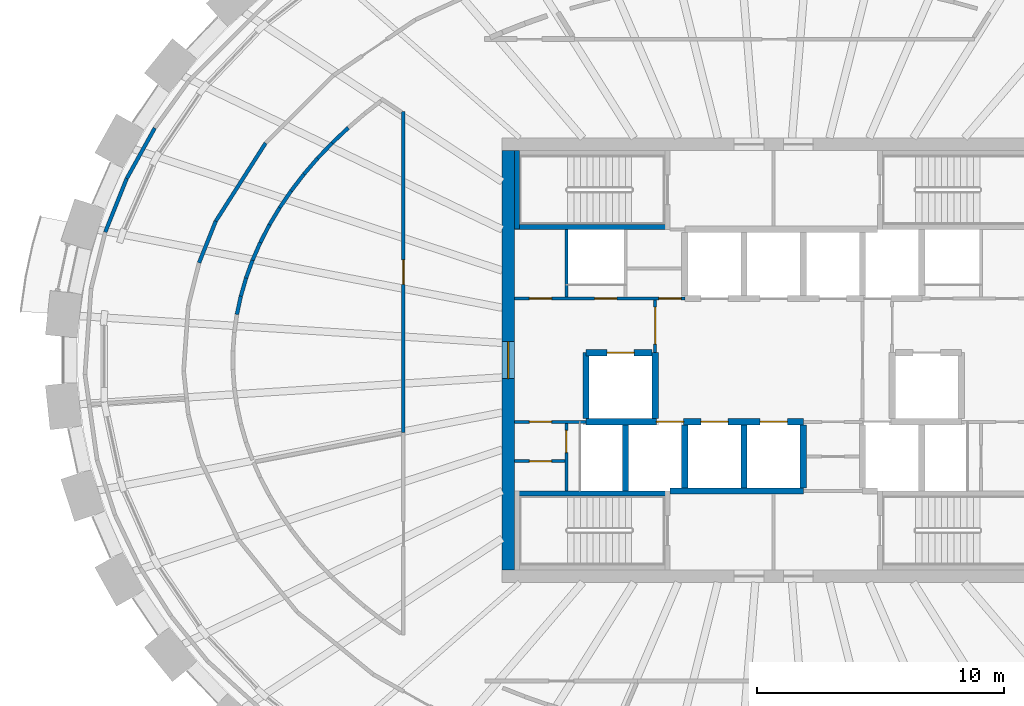
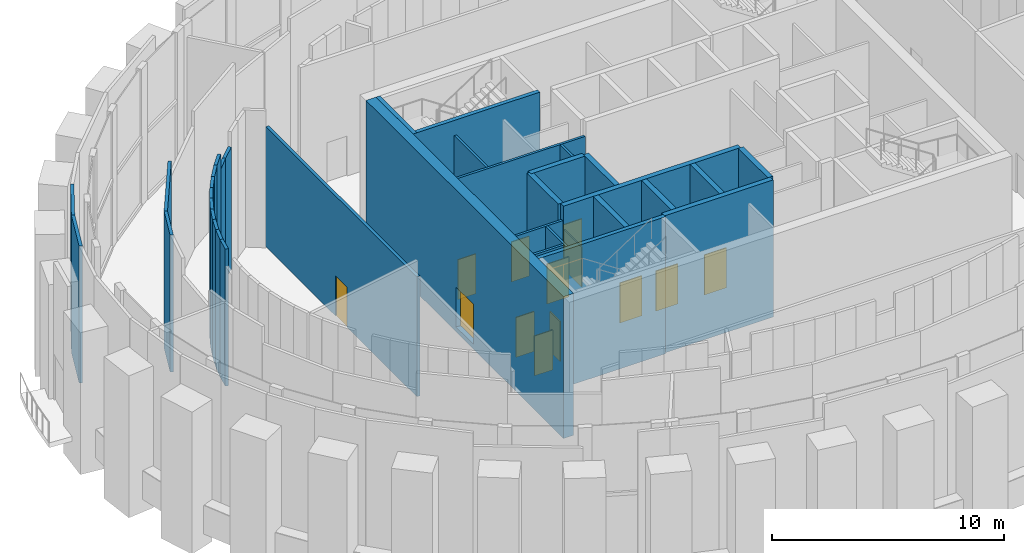
# One storey, part 9 of 16: 35 walls, 13 doors, 13 openings.
"""IFC4 building model written with IfcOpenShell, lengths in metres."""

import ifcopenshell
import ifcopenshell.guid

model = None  # the IFC model being written
_history = None  # IfcOwnerHistory: only IFC2X3 demands one
_inside = {}  # id of a spatial element -> (the spatial element, [elements in it])
_under = {}  # id of a project, library or spatial element -> (it, [spatial elements below it])
_declared = {}  # id of a project -> (the project, [libraries it declares])
_typed = {}  # id of a type object -> (the type object, [elements of that type])
_made_of = {}  # id of a material, layer set ... -> (it, [elements and type objects made of it])


def new_model(schema):
    """Start an empty IFC model of exactly this schema.

    Asked for "IFC4X3", IfcOpenShell would pick the latest addendum, in which some entities
    have other attributes; the version numbers below select the first issue.
    IFC2X3 requires an IfcOwnerHistory on every rooted entity: one is made here for all.
    """
    global model, _history
    if schema == "IFC4X3":
        model = ifcopenshell.file(schema_version=(4, 3, 0, 0))
    else:
        model = ifcopenshell.file(schema=schema)
    _inside.clear()
    _under.clear()
    _declared.clear()
    _typed.clear()
    _made_of.clear()
    _history = None
    if model.schema == "IFC2X3":
        org = make("IfcOrganization", Name="unknown")
        user = make(
            "IfcPersonAndOrganization",
            ThePerson=make("IfcPerson", FamilyName="unknown"),
            TheOrganization=org,
        )
        app = make(
            "IfcApplication",
            ApplicationDeveloper=org,
            Version="unknown",
            ApplicationFullName="unknown",
            ApplicationIdentifier="unknown",
        )
        _history = make(
            "IfcOwnerHistory",
            OwningUser=user,
            OwningApplication=app,
            ChangeAction="ADDED",
            CreationDate=0,
        )
    return model


def make(cls, **values):
    """One entity of the class cls with the attributes given. An attribute that is None is left unset."""
    return model.create_entity(
        cls, **{name: value for name, value in values.items() if value is not None}
    )


def rooted(cls, **values):
    """An entity with a GlobalId (a new one), such as an element, a storey or a relation."""
    return make(cls, GlobalId=ifcopenshell.guid.new(), OwnerHistory=_history, **values)


def si_unit(unit_type, name, prefix=None):
    """IfcSIUnit, for example si_unit("LENGTHUNIT", "METRE", prefix="MILLI")."""
    return make("IfcSIUnit", UnitType=unit_type, Prefix=prefix, Name=name)


def assignment(units):
    """IfcUnitAssignment: the units of a project."""
    return None if units is None else make("IfcUnitAssignment", Units=units)


def point(xyz):
    """IfcCartesianPoint."""
    return None if xyz is None else make("IfcCartesianPoint", Coordinates=xyz)


def direction(xyz):
    """IfcDirection."""
    return None if xyz is None else make("IfcDirection", DirectionRatios=xyz)


def frame(location, z_axis=None, x_axis=None):
    """IfcAxis2Placement3D, a coordinate frame: its origin and axes. An axis left out is left unset."""
    return make(
        "IfcAxis2Placement3D",
        Location=point(location),
        Axis=direction(z_axis),
        RefDirection=direction(x_axis),
    )


def frame_2d(location, x_axis=None):
    """IfcAxis2Placement2D, a coordinate frame in the plane: its origin and x axis."""
    return make(
        "IfcAxis2Placement2D", Location=point(location), RefDirection=direction(x_axis)
    )


def origin():
    """The frame at (0, 0, 0) with its axes left unset."""
    return frame((0.0, 0.0, 0.0))


def place(relative_to, where):
    """IfcLocalPlacement: puts the frame where relative to a parent placement (None: the world)."""
    return make(
        "IfcLocalPlacement", PlacementRelTo=relative_to, RelativePlacement=where
    )


def context(
    kind, dimensions, precision=None, world=None, true_north=None, identifier=None
):
    """IfcGeometricRepresentationContext, for example the 3D "Model" context."""
    return make(
        "IfcGeometricRepresentationContext",
        ContextIdentifier=identifier,
        ContextType=kind,
        CoordinateSpaceDimension=dimensions,
        Precision=precision,
        WorldCoordinateSystem=world,
        TrueNorth=true_north,
    )


def subcontext(parent, identifier, kind, view, scale=None):
    """IfcGeometricRepresentationSubContext, for example "Body" below "Model"."""
    return make(
        "IfcGeometricRepresentationSubContext",
        ContextIdentifier=identifier,
        ContextType=kind,
        ParentContext=parent,
        TargetScale=scale,
        TargetView=view,
    )


def project(units=None, contexts=None):
    """IfcProject with its units and contexts."""
    return rooted(
        "IfcProject",
        Name="project",
        RepresentationContexts=contexts,
        UnitsInContext=assignment(units),
    )


def spatial(cls, under=None, at=None, **own):
    """A site, building, storey or space (cls), placed at a placement, below another one or the project."""
    s = rooted(cls, ObjectPlacement=at, **own)
    if under is not None:
        _under.setdefault(under.id(), (under, []))[1].append(s)
    return s


def profile(cls, at=None, kind="AREA", **sizes):
    """A parametric profile (cls). Its sizes go by their IFC names, for example OverallWidth=200.0."""
    return make(cls, ProfileType=kind, Position=at, **sizes)


def rectangle(**sizes):
    """IfcRectangleProfileDef."""
    return profile("IfcRectangleProfileDef", **sizes)


def extrude(swept, where, along, depth):
    """IfcExtrudedAreaSolid: the profile swept, set in the frame where, extruded along a direction by depth."""
    return make(
        "IfcExtrudedAreaSolid",
        SweptArea=swept,
        Position=where,
        ExtrudedDirection=direction(along),
        Depth=depth,
    )


def shape(context_of_items, identifier, shape_type, items):
    """IfcShapeRepresentation: the items that make up one representation, for example the "Body"."""
    return make(
        "IfcShapeRepresentation",
        ContextOfItems=context_of_items,
        RepresentationIdentifier=identifier,
        RepresentationType=shape_type,
        Items=items,
    )


def source(mapping_origin, context_of_items, identifier, shape_type, items):
    """IfcRepresentationMap: a shape defined once, which mapped items show again and again."""
    return make(
        "IfcRepresentationMap",
        MappingOrigin=mapping_origin,
        MappedRepresentation=shape(context_of_items, identifier, shape_type, items),
    )


def transform(
    local_origin,
    x_axis=None,
    y_axis=None,
    z_axis=None,
    scale=None,
    scale2=None,
    scale3=None,
    uniform=True,
):
    """IfcCartesianTransformationOperator3D, or its non-uniform kind. x_axis, y_axis, z_axis: its Axis1, 2, 3."""
    if uniform:
        return make(
            "IfcCartesianTransformationOperator3D",
            Axis1=direction(x_axis),
            Axis2=direction(y_axis),
            LocalOrigin=point(local_origin),
            Scale=scale,
            Axis3=direction(z_axis),
        )
    return make(
        "IfcCartesianTransformationOperator3DnonUniform",
        Axis1=direction(x_axis),
        Axis2=direction(y_axis),
        LocalOrigin=point(local_origin),
        Scale=scale,
        Axis3=direction(z_axis),
        Scale2=scale2,
        Scale3=scale3,
    )


def mapped(mapping_source, mapping_target):
    """IfcMappedItem: shows the shape of a source again, moved by a transform."""
    return make(
        "IfcMappedItem", MappingSource=mapping_source, MappingTarget=mapping_target
    )


def material(Name=None, Category=None):
    """IfcMaterial."""
    return make("IfcMaterial", Name=Name, Category=Category)


def layer(
    of_material, thickness, ventilated=None, Name=None, Category=None, Priority=None
):
    """IfcMaterialLayer: one layer of a wall or slab, of a material (None: an air gap)."""
    return make(
        "IfcMaterialLayer",
        Material=of_material,
        LayerThickness=thickness,
        IsVentilated=ventilated,
        Name=Name,
        Category=Category,
        Priority=Priority,
    )


def layer_set(layers, Name=None):
    """IfcMaterialLayerSet."""
    return make("IfcMaterialLayerSet", MaterialLayers=layers, LayerSetName=Name)


def made_of(thing, what):
    """Note that an element or type object is made of a material, layer set ...; save() writes the relation."""
    if what is not None:
        _made_of.setdefault(what.id(), (what, []))[1].append(thing)
    return thing


def type_object(cls, material=None, **own):
    """A type object (cls), such as IfcWallType, which elements share."""
    return made_of(rooted(cls, **own), material)


def element(
    cls,
    number,
    at=None,
    inside=None,
    cuts=None,
    type_object=None,
    material=None,
    context=None,
    identifier="Body",
    shape_type=None,
    held_by="IfcProductDefinitionShape",
    body=None,
    shapes=None,
    **own,
):
    """One element of the class cls, such as IfcWall. Its Tag is "e" and its number.

    at: its placement. inside: the storey or other place that contains it. cuts: it is an
    opening in that element (IfcRelVoidsElement). A single representation is given by context,
    identifier, shape_type and body (its items); several are given by shapes. held_by: the class
    of the entity that holds the representations. save() writes the other relations.
    """
    e = rooted(cls, Tag="e%d" % number, ObjectPlacement=at, **own)
    if body is not None:
        shapes = [shape(context, identifier, shape_type, body)]
    if shapes is not None:
        e.Representation = make(held_by, Representations=shapes)
    if inside is not None:
        _inside.setdefault(inside.id(), (inside, []))[1].append(e)
    if cuts is not None:
        rooted(
            "IfcRelVoidsElement", RelatingBuildingElement=cuts, RelatedOpeningElement=e
        )
    if type_object is not None:
        _typed.setdefault(type_object.id(), (type_object, []))[1].append(e)
    return made_of(e, material)


def fill(opening, filler):
    """IfcRelFillsElement: the door or window that sits in an opening."""
    return rooted(
        "IfcRelFillsElement",
        RelatingOpeningElement=opening,
        RelatedBuildingElement=filler,
    )


def aggregate(whole, parts):
    """IfcRelAggregates: a whole, such as a stair, and the parts it consists of."""
    return rooted("IfcRelAggregates", RelatingObject=whole, RelatedObjects=parts)


def save(model, path):
    """Write the relations noted so far, then the file.

    IfcRelAggregates (storeys below a building ...), IfcRelContainedInSpatialStructure (elements
    in a storey), IfcRelDefinesByType, IfcRelAssociatesMaterial and IfcRelDeclares: one each for
    every whole, place, type object, material and project.
    """
    for whole, parts in _under.values():
        aggregate(whole, parts)
    for where, things in _inside.values():
        rooted(
            "IfcRelContainedInSpatialStructure",
            RelatedElements=things,
            RelatingStructure=where,
        )
    for kind, things in _typed.values():
        rooted("IfcRelDefinesByType", RelatedObjects=things, RelatingType=kind)
    for what, things in _made_of.values():
        rooted("IfcRelAssociatesMaterial", RelatedObjects=things, RelatingMaterial=what)
    for by, libraries in _declared.values():
        rooted("IfcRelDeclares", RelatingContext=by, RelatedDefinitions=libraries)
    model.write(path)


model = new_model("IFC4")

# Units and contexts
model_context = context("Model", 3, precision=1e-05, world=origin(), true_north=direction((0.0, 1.0)))
body_context = subcontext(model_context, "Body", "Model", "MODEL_VIEW")
ifc_project = project(units=[si_unit("LENGTHUNIT", "METRE"), si_unit("AREAUNIT", "SQUARE_METRE"), si_unit("VOLUMEUNIT", "CUBIC_METRE"), si_unit("PLANEANGLEUNIT", "RADIAN"), si_unit("MASSUNIT", "GRAM", prefix="KILO")], contexts=[model_context])

# Site, building, storey
site_placement = place(None, origin())
site = spatial("IfcSite", under=ifc_project, at=site_placement, CompositionType="ELEMENT")
building_placement = place(site_placement, origin())
building = spatial("IfcBuilding", under=site, at=building_placement, Name="Embergate Tower", CompositionType="ELEMENT")
storey_placement = place(building_placement, frame((0.0, 0.0, 332.5)))
storey = spatial("IfcBuildingStorey", under=building, at=storey_placement, Name="L78", CompositionType="ELEMENT", Elevation=332.5)

# Wall, opening, door
ifc_material_1 = material(Name="Concrete C50", Category="concrete")
ifc_layer_1 = layer(ifc_material_1, 0.5)
ifc_layer_set_1 = layer_set([ifc_layer_1], Name="Concrete C50")
wall_type_1 = type_object("IfcWallType", Name="Core outer wall C50 500", PredefinedType="SHEAR", material=ifc_layer_set_1)
shared_shape_1 = source(origin(), body_context, "Body", "SweptSolid", [
    extrude(rectangle(XDim=17.0, YDim=0.5, at=frame_2d((8.5, 0.0))), origin(), (0.0, 0.0, 1.0), 7.449951171875),
])
wall_1_placement = place(storey_placement, frame((-10.75, -8.5, -0.25), z_axis=(0.0, 0.0, 1.0), x_axis=(0.0, 1.0, 0.0)))
wall_1 = element("IfcWall", 1, at=wall_1_placement, inside=storey, type_object=wall_type_1, Name="CW-L78-W", PredefinedType="SHEAR", context=body_context, shape_type="MappedRepresentation", body=[
    mapped(shared_shape_1, transform((0.0, 0.0, 0.0))),
])
shared_shape_2 = source(origin(), body_context, "Body", "SweptSolid", [
    extrude(rectangle(XDim=1.5, YDim=2.10009765625, at=frame_2d((0.75, 1.050048828125))), frame((0.0, 0.260009765625, 0.0), z_axis=(0.0, -1.0, 0.0), x_axis=(1.0, 0.0, 0.0)), (0.0, 0.0, 1.0), 0.52001953125),
])
opening_1_placement = place(wall_1_placement, frame((7.75, 0.0, 0.25)))
opening_1 = element("IfcOpeningElement", 2, at=opening_1_placement, cuts=wall_1, Name="Opening IF-3", PredefinedType="OPENING", context=body_context, shape_type="MappedRepresentation", body=[
    mapped(shared_shape_2, transform((0.0, 0.0, 0.0))),
])
ifc_material_2 = material(Name="Lobby fire door pair 1500")
door_type_1 = type_object("IfcDoorType", Name="Lobby fire door pair 1500", OperationType="DOUBLE_DOOR_SINGLE_SWING", PredefinedType="DOOR", material=ifc_material_2)
shared_shape_3 = source(origin(), body_context, "Body", "SweptSolid", [
    extrude(rectangle(XDim=1.5, YDim=2.10009765625, at=frame_2d((0.75, 1.050048828125))), frame((0.0, 0.02490234375, 0.0), z_axis=(0.0, -1.0, 0.0), x_axis=(1.0, 0.0, 0.0)), (0.0, 0.0, 1.0), 0.050048828125),
])
door_1_placement = place(opening_1_placement, origin())
door_1 = element("IfcDoor", 3, at=door_1_placement, inside=storey, type_object=door_type_1, Name="IF-3 door", OperationType="DOUBLE_DOOR_SINGLE_SWING", OverallHeight=2.10009765625, OverallWidth=1.5, PredefinedType="DOOR", context=body_context, shape_type="MappedRepresentation", body=[
    mapped(shared_shape_3, transform((0.0, 0.0, 0.0))),
])
fill(opening_1, door_1)

# Wall, openings, doors
ifc_material_3 = material(Name="Core partition blockwork 120")
ifc_layer_2 = layer(ifc_material_3, 0.1201171875)
ifc_layer_set_2 = layer_set([ifc_layer_2], Name="Core partition blockwork 120")
wall_type_2 = type_object("IfcWallType", Name="Core partition blockwork 120", PredefinedType="PARTITIONING", material=ifc_layer_set_2)
shared_shape_4 = source(origin(), body_context, "Body", "SweptSolid", [
    extrude(rectangle(XDim=6.89990234375, YDim=0.1201171875, at=frame_2d((3.449951171875, 0.0))), origin(), (0.0, 0.0, 1.0), 6.39990234375),
])
wall_2_placement = place(storey_placement, frame((-10.5, 2.5, 0.0), z_axis=(0.0, 0.0, 1.0), x_axis=(1.0, 0.0, 0.0)))
wall_2 = element("IfcWall", 4, at=wall_2_placement, inside=storey, type_object=wall_type_2, Name="IP-3 wall", PredefinedType="PARTITIONING", context=body_context, shape_type="MappedRepresentation", body=[
    mapped(shared_shape_4, transform((0.0, 0.0, 0.0))),
])
shared_shape_5 = source(origin(), body_context, "Body", "SweptSolid", [
    extrude(rectangle(XDim=0.89990234375, YDim=2.10009765625, at=frame_2d((0.449951171875, 1.050048828125))), frame((0.0, 0.070068359375, 0.0), z_axis=(0.0, -1.0, 0.0), x_axis=(1.0, 0.0, 0.0)), (0.0, 0.0, 1.0), 0.14013671875),
])
opening_2_placement = place(wall_2_placement, frame((3.25, 0.0, 0.0)))
opening_2 = element("IfcOpeningElement", 5, at=opening_2_placement, cuts=wall_2, Name="Opening ID-1", PredefinedType="OPENING", context=body_context, shape_type="MappedRepresentation", body=[
    mapped(shared_shape_5, transform((0.0, 0.0, 0.0))),
])
opening_3_placement = place(wall_2_placement, frame((5.85009765625, 0.0, 0.0)))
opening_3 = element("IfcOpeningElement", 6, at=opening_3_placement, cuts=wall_2, Name="Opening ID-1", PredefinedType="OPENING", context=body_context, shape_type="MappedRepresentation", body=[
    mapped(shared_shape_5, transform((0.0, 0.0, 0.0))),
])
opening_4_placement = place(wall_2_placement, frame((0.60009765625, 0.0, 0.0)))
opening_4 = element("IfcOpeningElement", 7, at=opening_4_placement, cuts=wall_2, Name="Opening ID-1", PredefinedType="OPENING", context=body_context, shape_type="MappedRepresentation", body=[
    mapped(shared_shape_5, transform((0.0, 0.0, 0.0))),
])
ifc_material_4 = material(Name="Interior door 900")
door_type_2 = type_object("IfcDoorType", Name="Interior door 900", OperationType="SINGLE_SWING_LEFT", PredefinedType="DOOR", material=ifc_material_4)
shared_shape_6 = source(origin(), body_context, "Body", "SweptSolid", [
    extrude(rectangle(XDim=0.89990234375, YDim=2.10009765625, at=frame_2d((0.449951171875, 1.050048828125))), frame((0.0, 0.02490234375, 0.0), z_axis=(0.0, -1.0, 0.0), x_axis=(1.0, 0.0, 0.0)), (0.0, 0.0, 1.0), 0.050048828125),
])
door_2_placement = place(opening_2_placement, origin())
door_2 = element("IfcDoor", 8, at=door_2_placement, inside=storey, type_object=door_type_2, Name="ID-1 door", OperationType="SINGLE_SWING_LEFT", OverallHeight=2.10009765625, OverallWidth=0.89990234375, PredefinedType="DOOR", context=body_context, shape_type="MappedRepresentation", body=[
    mapped(shared_shape_6, transform((0.0, 0.0, 0.0))),
])
fill(opening_2, door_2)
door_3_placement = place(opening_3_placement, origin())
door_3 = element("IfcDoor", 9, at=door_3_placement, inside=storey, type_object=door_type_2, Name="ID-1 door", OperationType="SINGLE_SWING_LEFT", OverallHeight=2.10009765625, OverallWidth=0.89990234375, PredefinedType="DOOR", context=body_context, shape_type="MappedRepresentation", body=[
    mapped(shared_shape_6, transform((0.0, 0.0, 0.0))),
])
fill(opening_3, door_3)
door_4_placement = place(opening_4_placement, origin())
door_4 = element("IfcDoor", 10, at=door_4_placement, inside=storey, type_object=door_type_2, Name="ID-1 door", OperationType="SINGLE_SWING_LEFT", OverallHeight=2.10009765625, OverallWidth=0.89990234375, PredefinedType="DOOR", context=body_context, shape_type="MappedRepresentation", body=[
    mapped(shared_shape_6, transform((0.0, 0.0, 0.0))),
])
fill(opening_4, door_4)

# Walls
ifc_layer_3 = layer(ifc_material_1, 0.199951171875)
ifc_layer_set_3 = layer_set([ifc_layer_3], Name="Concrete C50")
wall_type_3 = type_object("IfcWallType", Name="Stair enclosure wall reinforced concrete 250", PredefinedType="SHEAR", material=ifc_layer_set_3)
shared_shape_7 = source(origin(), body_context, "Body", "SweptSolid", [
    extrude(rectangle(XDim=6.298095703125, YDim=0.199951171875, at=frame_2d((3.14892578125, 0.0))), origin(), (0.0, 0.0, 1.0), 7.199951171875),
])
wall_3_placement = place(storey_placement, frame((-4.201904296875, 5.39990234375, 0.0), z_axis=(0.0, 0.0, 1.0), x_axis=(-1.0, 0.0, 0.0)))
element("IfcWall", 11, at=wall_3_placement, inside=storey, type_object=wall_type_3, Name="SE-1 wall", PredefinedType="SHEAR", context=body_context, shape_type="MappedRepresentation", body=[
    mapped(shared_shape_7, transform((0.0, 0.0, 0.0))),
])
shared_shape_8 = source(origin(), body_context, "Body", "SweptSolid", [
    extrude(rectangle(XDim=2.739990234375, YDim=0.1201171875, at=frame_2d((1.3701171875, 0.0))), origin(), (0.0, 0.0, 1.0), 6.39990234375),
])
wall_4_placement = place(storey_placement, frame((-8.39990234375, 5.300048828125, 0.0), z_axis=(0.0, 0.0, 1.0), x_axis=(0.0, -1.0, 0.0)))
element("IfcWall", 12, at=wall_4_placement, inside=storey, type_object=wall_type_2, Name="IP-3 wall", PredefinedType="PARTITIONING", context=body_context, shape_type="MappedRepresentation", body=[
    mapped(shared_shape_8, transform((0.0, 0.0, 0.0))),
])

# Wall, opening, door
wall_5_placement = place(storey_placement, frame((-8.39990234375, -2.56005859375, 0.0), z_axis=(0.0, 0.0, 1.0), x_axis=(0.0, -1.0, 0.0)))
wall_5 = element("IfcWall", 13, at=wall_5_placement, inside=storey, type_object=wall_type_2, Name="IP-3 wall", PredefinedType="PARTITIONING", context=body_context, shape_type="MappedRepresentation", body=[
    mapped(shared_shape_8, transform((0.0, 0.0, 0.0))),
])
opening_5_placement = place(wall_5_placement, frame((0.2880859375, 0.0, 0.0)))
opening_5 = element("IfcOpeningElement", 14, at=opening_5_placement, cuts=wall_5, Name="Opening ID-1", PredefinedType="OPENING", context=body_context, shape_type="MappedRepresentation", body=[
    mapped(shared_shape_5, transform((0.0, 0.0, 0.0))),
])
door_5_placement = place(opening_5_placement, origin())
door_5 = element("IfcDoor", 15, at=door_5_placement, inside=storey, type_object=door_type_2, Name="ID-1 door", OperationType="SINGLE_SWING_LEFT", OverallHeight=2.10009765625, OverallWidth=0.89990234375, PredefinedType="DOOR", context=body_context, shape_type="MappedRepresentation", body=[
    mapped(shared_shape_6, transform((0.0, 0.0, 0.0))),
])
fill(opening_5, door_5)

# Walls
ifc_layer_4 = layer(ifc_material_1, 0.25)
ifc_layer_set_4 = layer_set([ifc_layer_4], Name="Concrete C50")
wall_type_4 = type_object("IfcWallType", Name="Hoistway wall reinforced concrete 250", PredefinedType="SHEAR", material=ifc_layer_set_4)
shared_shape_9 = source(origin(), body_context, "Body", "SweptSolid", [
    extrude(rectangle(XDim=2.550048828125, YDim=0.25, at=frame_2d((1.27490234375, 0.0))), origin(), (0.0, 0.0, 1.0), 7.199951171875),
])
for number, where, z_axis, x_axis, name in (
    (16, (-3.60009765625, -5.175048828125, 0.0), (0.0, 0.0, 1.0), (0.0, 1.0, 0.0), "HW-1 wall"),
    (17, (-1.199951171875, -5.175048828125, 0.0), (0.0, 0.0, 1.0), (0.0, 1.0, 0.0), "HW-1 wall"),
    (18, (1.199951171875, -5.175048828125, 0.0), (0.0, 0.0, 1.0), (0.0, 1.0, 0.0), "HW-1 wall"),
):
    element("IfcWall", number, at=place(storey_placement, frame(where, z_axis=z_axis, x_axis=x_axis)), inside=storey, type_object=wall_type_4, Name=name, PredefinedType="SHEAR", context=body_context, shape_type="MappedRepresentation", body=[
        mapped(shared_shape_9, transform((0.0, 0.0, 0.0))),
    ])
shared_shape_10 = source(origin(), body_context, "Body", "SweptSolid", [
    extrude(rectangle(XDim=2.675048828125, YDim=0.25, at=frame_2d((1.33740234375, 0.0))), origin(), (0.0, 0.0, 1.0), 7.199951171875),
])
for number, where, z_axis, x_axis, name in (
    (19, (-6.0, -5.300048828125, 0.0), (0.0, 0.0, 1.0), (0.0, 1.0, 0.0), "HW-1 wall"),
    (20, (-4.800048828125, 0.300048828125, 0.0), (0.0, 0.0, 1.0), (0.0, -1.0, 0.0), "HW-1 wall"),
):
    element("IfcWall", number, at=place(storey_placement, frame(where, z_axis=z_axis, x_axis=x_axis)), inside=storey, type_object=wall_type_4, Name=name, PredefinedType="SHEAR", context=body_context, shape_type="MappedRepresentation", body=[
        mapped(shared_shape_10, transform((0.0, 0.0, 0.0))),
    ])

# Wall, opening, door
wall_6_placement = place(storey_placement, frame((-4.925048828125, 0.300048828125, 0.0), z_axis=(0.0, 0.0, 1.0), x_axis=(-1.0, 0.0, 0.0)))
wall_6 = element("IfcWall", 21, at=wall_6_placement, inside=storey, type_object=wall_type_4, Name="HW-1 wall", PredefinedType="SHEAR", context=body_context, shape_type="MappedRepresentation", body=[
    mapped(shared_shape_10, transform((0.0, 0.0, 0.0))),
])
shared_shape_11 = source(origin(), body_context, "Body", "SweptSolid", [
    extrude(rectangle(XDim=1.10009765625, YDim=2.10009765625, at=frame_2d((0.550048828125, 1.050048828125))), frame((0.0, 0.135009765625, 0.0), z_axis=(0.0, -1.0, 0.0), x_axis=(1.0, 0.0, 0.0)), (0.0, 0.0, 1.0), 0.27001953125),
])
opening_6_placement = place(wall_6_placement, frame((0.72509765625, 0.0, 0.0)))
opening_6 = element("IfcOpeningElement", 22, at=opening_6_placement, cuts=wall_6, Name="Opening LD", PredefinedType="OPENING", context=body_context, shape_type="MappedRepresentation", body=[
    mapped(shared_shape_11, transform((0.0, 0.0, 0.0))),
])
ifc_material_5 = material(Name="Landing door sliding 1100")
door_type_3 = type_object("IfcDoorType", Name="Landing door sliding 1100", OperationType="SLIDING_TO_LEFT", PredefinedType="DOOR", material=ifc_material_5)
shared_shape_12 = source(origin(), body_context, "Body", "SweptSolid", [
    extrude(rectangle(XDim=1.10009765625, YDim=2.10009765625, at=frame_2d((0.550048828125, 1.050048828125))), frame((0.0, 0.02490234375, 0.0), z_axis=(0.0, -1.0, 0.0), x_axis=(1.0, 0.0, 0.0)), (0.0, 0.0, 1.0), 0.050048828125),
])
door_6_placement = place(opening_6_placement, origin())
door_6 = element("IfcDoor", 23, at=door_6_placement, inside=storey, type_object=door_type_3, Name="LD door", OperationType="SLIDING_TO_RIGHT", OverallHeight=2.10009765625, OverallWidth=1.10009765625, PredefinedType="DOOR", context=body_context, shape_type="MappedRepresentation", body=[
    mapped(shared_shape_12, transform((0.0, 0.0, 0.0))),
])
fill(opening_6, door_6)

# Walls
wall_7_placement = place(storey_placement, frame((-7.60009765625, 0.300048828125, 0.0), z_axis=(0.0, 0.0, 1.0), x_axis=(0.0, -1.0, 0.0)))
element("IfcWall", 24, at=wall_7_placement, inside=storey, type_object=wall_type_4, Name="HW-1 wall", PredefinedType="SHEAR", context=body_context, shape_type="MappedRepresentation", body=[
    mapped(shared_shape_10, transform((0.0, 0.0, 0.0))),
])
shared_shape_13 = source(origin(), body_context, "Body", "SweptSolid", [
    extrude(rectangle(XDim=6.300048828125, YDim=0.199951171875, at=frame_2d((3.14990234375, 0.0))), origin(), (0.0, 0.0, 1.0), 7.199951171875),
])
wall_8_placement = place(storey_placement, frame((-10.5, -5.39990234375, 0.0), z_axis=(0.0, 0.0, 1.0), x_axis=(1.0, 0.0, 0.0)))
element("IfcWall", 25, at=wall_8_placement, inside=storey, type_object=wall_type_3, Name="SE-1 wall", PredefinedType="SHEAR", context=body_context, shape_type="MappedRepresentation", body=[
    mapped(shared_shape_13, transform((0.0, 0.0, 0.0))),
])

# Wall, openings, doors
shared_shape_14 = source(origin(), body_context, "Body", "SweptSolid", [
    extrude(rectangle(XDim=8.800048828125, YDim=0.25, at=frame_2d((4.39990234375, 0.0))), origin(), (0.0, 0.0, 1.0), 7.199951171875),
])
wall_9_placement = place(storey_placement, frame((1.199951171875, -2.5, 0.0), z_axis=(0.0, 0.0, 1.0), x_axis=(-1.0, 0.0, 0.0)))
wall_9 = element("IfcWall", 26, at=wall_9_placement, inside=storey, type_object=wall_type_4, Name="HW-1 wall", PredefinedType="SHEAR", context=body_context, shape_type="MappedRepresentation", body=[
    mapped(shared_shape_14, transform((0.0, 0.0, 0.0))),
])
opening_7_placement = place(wall_9_placement, frame((4.85009765625, 0.0, 0.0)))
opening_7 = element("IfcOpeningElement", 27, at=opening_7_placement, cuts=wall_9, Name="Opening LD", PredefinedType="OPENING", context=body_context, shape_type="MappedRepresentation", body=[
    mapped(shared_shape_11, transform((0.0, 0.0, 0.0))),
])
opening_8_placement = place(wall_9_placement, frame((3.050048828125, 0.0, 0.0)))
opening_8 = element("IfcOpeningElement", 28, at=opening_8_placement, cuts=wall_9, Name="Opening LD", PredefinedType="OPENING", context=body_context, shape_type="MappedRepresentation", body=[
    mapped(shared_shape_11, transform((0.0, 0.0, 0.0))),
])
opening_9_placement = place(wall_9_placement, frame((0.64990234375, 0.0, 0.0)))
opening_9 = element("IfcOpeningElement", 29, at=opening_9_placement, cuts=wall_9, Name="Opening LD", PredefinedType="OPENING", context=body_context, shape_type="MappedRepresentation", body=[
    mapped(shared_shape_11, transform((0.0, 0.0, 0.0))),
])
door_7_placement = place(opening_7_placement, origin())
door_7 = element("IfcDoor", 30, at=door_7_placement, inside=storey, type_object=door_type_3, Name="LD door", OperationType="SLIDING_TO_LEFT", OverallHeight=2.10009765625, OverallWidth=1.10009765625, PredefinedType="DOOR", context=body_context, shape_type="MappedRepresentation", body=[
    mapped(shared_shape_12, transform((0.0, 0.0, 0.0))),
])
fill(opening_7, door_7)
door_8_placement = place(opening_8_placement, origin())
door_8 = element("IfcDoor", 31, at=door_8_placement, inside=storey, type_object=door_type_3, Name="LD door", OperationType="SLIDING_TO_LEFT", OverallHeight=2.10009765625, OverallWidth=1.10009765625, PredefinedType="DOOR", context=body_context, shape_type="MappedRepresentation", body=[
    mapped(shared_shape_12, transform((0.0, 0.0, 0.0))),
])
fill(opening_8, door_8)
door_9_placement = place(opening_9_placement, origin())
door_9 = element("IfcDoor", 32, at=door_9_placement, inside=storey, type_object=door_type_3, Name="LD door", OperationType="SLIDING_TO_LEFT", OverallHeight=2.10009765625, OverallWidth=1.10009765625, PredefinedType="DOOR", context=body_context, shape_type="MappedRepresentation", body=[
    mapped(shared_shape_12, transform((0.0, 0.0, 0.0))),
])
fill(opening_9, door_9)

# Wall, opening, door
shared_shape_15 = source(origin(), body_context, "Body", "SweptSolid", [
    extrude(rectangle(XDim=2.89990234375, YDim=0.1201171875, at=frame_2d((1.449951171875, 0.0))), origin(), (0.0, 0.0, 1.0), 6.39990234375),
])
wall_10_placement = place(storey_placement, frame((-7.60009765625, -2.5, 0.0), z_axis=(0.0, 0.0, 1.0), x_axis=(-1.0, 0.0, 0.0)))
wall_10 = element("IfcWall", 33, at=wall_10_placement, inside=storey, type_object=wall_type_2, Name="IP-3 wall", PredefinedType="PARTITIONING", context=body_context, shape_type="MappedRepresentation", body=[
    mapped(shared_shape_15, transform((0.0, 0.0, 0.0))),
])
opening_10_placement = place(wall_10_placement, frame((1.39990234375, 0.0, 0.0)))
opening_10 = element("IfcOpeningElement", 34, at=opening_10_placement, cuts=wall_10, Name="Opening ID-1", PredefinedType="OPENING", context=body_context, shape_type="MappedRepresentation", body=[
    mapped(shared_shape_5, transform((0.0, 0.0, 0.0))),
])
door_10_placement = place(opening_10_placement, origin())
door_10 = element("IfcDoor", 35, at=door_10_placement, inside=storey, type_object=door_type_2, Name="ID-1 door", OperationType="SINGLE_SWING_RIGHT", OverallHeight=2.10009765625, OverallWidth=0.89990234375, PredefinedType="DOOR", context=body_context, shape_type="MappedRepresentation", body=[
    mapped(shared_shape_6, transform((0.0, 0.0, 0.0))),
])
fill(opening_10, door_10)

# Wall
shared_shape_16 = source(origin(), body_context, "Body", "SweptSolid", [
    extrude(rectangle(XDim=5.39990234375, YDim=0.25, at=frame_2d((2.699951171875, 0.0))), origin(), (0.0, 0.0, 1.0), 7.199951171875),
])
wall_11_placement = place(storey_placement, frame((-4.199951171875, -5.300048828125, 0.0), z_axis=(0.0, 0.0, 1.0), x_axis=(1.0, 0.0, 0.0)))
element("IfcWall", 36, at=wall_11_placement, inside=storey, type_object=wall_type_4, Name="HW-1 wall", PredefinedType="SHEAR", context=body_context, shape_type="MappedRepresentation", body=[
    mapped(shared_shape_16, transform((0.0, 0.0, 0.0))),
])

# Wall, opening, door
shared_shape_17 = source(origin(), body_context, "Body", "SweptSolid", [
    extrude(rectangle(XDim=2.139892578125, YDim=0.1201171875, at=frame_2d((1.06982421875, 0.0))), origin(), (0.0, 0.0, 1.0), 6.39990234375),
])
wall_12_placement = place(storey_placement, frame((-4.800048828125, 2.43994140625, 0.0), z_axis=(0.0, 0.0, 1.0), x_axis=(0.0, -1.0, 0.0)))
wall_12 = element("IfcWall", 37, at=wall_12_placement, inside=storey, type_object=wall_type_2, Name="IP-3 wall", PredefinedType="PARTITIONING", context=body_context, shape_type="MappedRepresentation", body=[
    mapped(shared_shape_17, transform((0.0, 0.0, 0.0))),
])
shared_shape_18 = source(origin(), body_context, "Body", "SweptSolid", [
    extrude(rectangle(XDim=1.5, YDim=2.10009765625, at=frame_2d((0.75, 1.050048828125))), frame((0.0, 0.070068359375, 0.0), z_axis=(0.0, -1.0, 0.0), x_axis=(1.0, 0.0, 0.0)), (0.0, 0.0, 1.0), 0.14013671875),
])
opening_11_placement = place(wall_12_placement, frame((0.2900390625, 0.0, 0.0)))
opening_11 = element("IfcOpeningElement", 38, at=opening_11_placement, cuts=wall_12, Name="Opening IF-3", PredefinedType="OPENING", context=body_context, shape_type="MappedRepresentation", body=[
    mapped(shared_shape_18, transform((0.0, 0.0, 0.0))),
])
door_11_placement = place(opening_11_placement, origin())
door_11 = element("IfcDoor", 39, at=door_11_placement, inside=storey, type_object=door_type_1, Name="IF-3 door", OperationType="DOUBLE_DOOR_SINGLE_SWING", OverallHeight=2.10009765625, OverallWidth=1.5, PredefinedType="DOOR", context=body_context, shape_type="MappedRepresentation", body=[
    mapped(shared_shape_3, transform((0.0, 0.0, 0.0))),
])
fill(opening_11, door_11)

shared_shape_19 = source(origin(), body_context, "Body", "SweptSolid", [
    extrude(rectangle(XDim=2.0400390625, YDim=0.1201171875, at=frame_2d((1.02001953125, 0.0))), origin(), (0.0, 0.0, 1.0), 6.39990234375),
])
wall_13_placement = place(storey_placement, frame((-8.4599609375, -4.095947265625, 0.0), z_axis=(0.0, 0.0, 1.0), x_axis=(-1.0, 0.0, 0.0)))
wall_13 = element("IfcWall", 40, at=wall_13_placement, inside=storey, type_object=wall_type_2, Name="IP-3 wall", PredefinedType="PARTITIONING", context=body_context, shape_type="MappedRepresentation", body=[
    mapped(shared_shape_19, transform((0.0, 0.0, 0.0))),
])
opening_12_placement = place(wall_13_placement, frame((0.5400390625, 0.0, 0.0)))
opening_12 = element("IfcOpeningElement", 41, at=opening_12_placement, cuts=wall_13, Name="Opening ID-1", PredefinedType="OPENING", context=body_context, shape_type="MappedRepresentation", body=[
    mapped(shared_shape_5, transform((0.0, 0.0, 0.0))),
])
door_12_placement = place(opening_12_placement, origin())
door_12 = element("IfcDoor", 42, at=door_12_placement, inside=storey, type_object=door_type_2, Name="ID-1 door", OperationType="SINGLE_SWING_RIGHT", OverallHeight=2.10009765625, OverallWidth=0.89990234375, PredefinedType="DOOR", context=body_context, shape_type="MappedRepresentation", body=[
    mapped(shared_shape_6, transform((0.0, 0.0, 0.0))),
])
fill(opening_12, door_12)

# Walls
shared_shape_20 = source(origin(), body_context, "Body", "SweptSolid", [
    extrude(rectangle(XDim=3.197998046875, YDim=0.199951171875, at=frame_2d((1.59912109375, 0.0))), origin(), (0.0, 0.0, 1.0), 7.199951171875),
])
wall_14_placement = place(storey_placement, frame((-10.39990234375, 8.5, 0.0), z_axis=(0.0, 0.0, 1.0), x_axis=(0.0, -1.0, 0.0)))
element("IfcWall", 43, at=wall_14_placement, inside=storey, type_object=wall_type_3, Name="SE-1 wall", PredefinedType="SHEAR", context=body_context, shape_type="MappedRepresentation", body=[
    mapped(shared_shape_20, transform((0.0, 0.0, 0.0))),
])
ifc_material_6 = material(Name="Plasterboard on steel stud", Category="steel")
ifc_layer_5 = layer(ifc_material_6, 0.14990234375)
ifc_layer_set_5 = layer_set([ifc_layer_5], Name="Plasterboard on steel stud")
wall_type_5 = type_object("IfcWallType", Name="Partition wall 150 board", PredefinedType="PARTITIONING", material=ifc_layer_set_5)
shared_shape_21 = source(origin(), body_context, "Body", "SweptSolid", [
    extrude(rectangle(XDim=2.33349609375, YDim=0.14990234375, at=frame_2d((1.166748046875, 0.0))), origin(), (0.0, 0.0, 1.0), 7.199951171875),
])
wall_15_placement = place(storey_placement, frame((-27.077880859375, 5.18505859375, 0.0), z_axis=(0.0, 0.0, 1.0), x_axis=(0.371949823529, 0.928252836665, 0.0)))
element("IfcWall", 44, at=wall_15_placement, inside=storey, type_object=wall_type_5, Name="Partition 005", PredefinedType="PARTITIONING", context=body_context, shape_type="MappedRepresentation", body=[
    mapped(shared_shape_21, transform((0.0, 0.0, 0.0))),
])
shared_shape_22 = source(origin(), body_context, "Body", "SweptSolid", [
    extrude(rectangle(XDim=2.343994140625, YDim=0.14990234375, at=frame_2d((1.171875, 0.0))), origin(), (0.0, 0.0, 1.0), 7.199951171875),
])
wall_16_placement = place(storey_placement, frame((-26.2099609375, 7.35107421875, 0.0), z_axis=(0.0, 0.0, 1.0), x_axis=(0.485863990691, 0.874034428698, 0.0)))
element("IfcWall", 45, at=wall_16_placement, inside=storey, type_object=wall_type_5, Name="Partition 007", PredefinedType="PARTITIONING", context=body_context, shape_type="MappedRepresentation", body=[
    mapped(shared_shape_22, transform((0.0, 0.0, 0.0))),
])
shared_shape_23 = source(origin(), body_context, "Body", "SweptSolid", [
    extrude(rectangle(XDim=1.81103515625, YDim=0.14990234375, at=frame_2d((0.905517578125, 0.0))), origin(), (0.0, 0.0, 1.0), 7.199951171875),
])
wall_17_placement = place(storey_placement, frame((-23.27490234375, 3.946044921875, 0.0), z_axis=(0.0, 0.0, 1.0), x_axis=(0.372087887744, 0.928197502579, 0.0)))
element("IfcWall", 46, at=wall_17_placement, inside=storey, type_object=wall_type_5, Name="Partition 018", PredefinedType="PARTITIONING", context=body_context, shape_type="MappedRepresentation", body=[
    mapped(shared_shape_23, transform((0.0, 0.0, 0.0))),
])
shared_shape_24 = source(origin(), body_context, "Body", "SweptSolid", [
    extrude(rectangle(XDim=3.75634765625, YDim=0.14990234375, at=frame_2d((1.878173828125, 0.0))), origin(), (0.0, 0.0, 1.0), 7.199951171875),
])
wall_18_placement = place(storey_placement, frame((-22.60107421875, 5.626953125, 0.0), z_axis=(0.0, 0.0, 1.0), x_axis=(0.537758348506, 0.843099020645, 0.0)))
element("IfcWall", 47, at=wall_18_placement, inside=storey, type_object=wall_type_5, Name="Partition 020", PredefinedType="PARTITIONING", context=body_context, shape_type="MappedRepresentation", body=[
    mapped(shared_shape_24, transform((0.0, 0.0, 0.0))),
])
shared_shape_25 = source(origin(), body_context, "Body", "SweptSolid", [
    extrude(rectangle(XDim=0.75390625, YDim=0.14990234375, at=frame_2d((0.376953125, 0.0))), origin(), (0.0, 0.0, 1.0), 7.199951171875),
])
wall_19_placement = place(storey_placement, frame((-21.5859375, 2.5869140625, 0.0), z_axis=(0.0, 0.0, 1.0), x_axis=(-0.211165541414, -0.977450312865, 0.0)))
element("IfcWall", 48, at=wall_19_placement, inside=storey, type_object=wall_type_5, Name="Partition 029", PredefinedType="PARTITIONING", context=body_context, shape_type="MappedRepresentation", body=[
    mapped(shared_shape_25, transform((0.0, 0.0, 0.0))),
])
shared_shape_26 = source(origin(), body_context, "Body", "SweptSolid", [
    extrude(rectangle(XDim=0.76904296875, YDim=0.14990234375, at=frame_2d((0.384521484375, 0.0))), origin(), (0.0, 0.0, 1.0), 7.199951171875),
])
wall_20_placement = place(storey_placement, frame((-21.373046875, 3.325927734375, 0.0), z_axis=(0.0, 0.0, 1.0), x_axis=(-0.276816846253, -0.960922699092, 0.0)))
element("IfcWall", 49, at=wall_20_placement, inside=storey, type_object=wall_type_5, Name="Partition 031", PredefinedType="PARTITIONING", context=body_context, shape_type="MappedRepresentation", body=[
    mapped(shared_shape_26, transform((0.0, 0.0, 0.0))),
])
shared_shape_27 = source(origin(), body_context, "Body", "SweptSolid", [
    extrude(rectangle(XDim=0.76611328125, YDim=0.14990234375, at=frame_2d((0.383056640625, 0.0))), origin(), (0.0, 0.0, 1.0), 7.199951171875),
])
wall_21_placement = place(storey_placement, frame((-21.111083984375, 4.0458984375, 0.0), z_axis=(0.0, 0.0, 1.0), x_axis=(-0.341922157745, -0.939728278835, 0.0)))
element("IfcWall", 50, at=wall_21_placement, inside=storey, type_object=wall_type_5, Name="Partition 032", PredefinedType="PARTITIONING", context=body_context, shape_type="MappedRepresentation", body=[
    mapped(shared_shape_27, transform((0.0, 0.0, 0.0))),
])
shared_shape_28 = source(origin(), body_context, "Body", "SweptSolid", [
    extrude(rectangle(XDim=0.807861328125, YDim=0.14990234375, at=frame_2d((0.40380859375, 0.0))), origin(), (0.0, 0.0, 1.0), 7.199951171875),
])
wall_22_placement = place(storey_placement, frame((-20.425048828125, 5.48388671875, 0.0), z_axis=(0.0, 0.0, 1.0), x_axis=(-0.459020051876, -0.888425906857, 0.0)))
element("IfcWall", 51, at=wall_22_placement, inside=storey, type_object=wall_type_5, Name="Partition 038", PredefinedType="PARTITIONING", context=body_context, shape_type="MappedRepresentation", body=[
    mapped(shared_shape_28, transform((0.0, 0.0, 0.0))),
])
shared_shape_29 = source(origin(), body_context, "Body", "SweptSolid", [
    extrude(rectangle(XDim=0.7861328125, YDim=0.14990234375, at=frame_2d((0.39306640625, 0.0))), origin(), (0.0, 0.0, 1.0), 7.199951171875),
])
wall_23_placement = place(storey_placement, frame((-20.7958984375, 4.76611328125, 0.0), z_axis=(0.0, 0.0, 1.0), x_axis=(-0.400916577777, -0.916114565796, 0.0)))
element("IfcWall", 52, at=wall_23_placement, inside=storey, type_object=wall_type_5, Name="Partition 035", PredefinedType="PARTITIONING", context=body_context, shape_type="MappedRepresentation", body=[
    mapped(shared_shape_29, transform((0.0, 0.0, 0.0))),
])
shared_shape_30 = source(origin(), body_context, "Body", "SweptSolid", [
    extrude(rectangle(XDim=0.802978515625, YDim=0.14990234375, at=frame_2d((0.4013671875, 0.0))), origin(), (0.0, 0.0, 1.0), 7.199951171875),
])
wall_24_placement = place(storey_placement, frame((-20.012939453125, 6.173095703125, 0.0), z_axis=(0.0, 0.0, 1.0), x_axis=(-0.513198578999, -0.858269898408, 0.0)))
element("IfcWall", 53, at=wall_24_placement, inside=storey, type_object=wall_type_5, Name="Partition 041", PredefinedType="PARTITIONING", context=body_context, shape_type="MappedRepresentation", body=[
    mapped(shared_shape_30, transform((0.0, 0.0, 0.0))),
])
shared_shape_31 = source(origin(), body_context, "Body", "SweptSolid", [
    extrude(rectangle(XDim=0.851806640625, YDim=0.14990234375, at=frame_2d((0.42578125, 0.0))), origin(), (0.0, 0.0, 1.0), 7.199951171875),
])
wall_25_placement = place(storey_placement, frame((-19.030029296875, 7.531982421875, 0.0), z_axis=(0.0, 0.0, 1.0), x_axis=(-0.608269049701, -0.793730913582, 0.0)))
element("IfcWall", 54, at=wall_25_placement, inside=storey, type_object=wall_type_5, Name="Partition 047", PredefinedType="PARTITIONING", context=body_context, shape_type="MappedRepresentation", body=[
    mapped(shared_shape_31, transform((0.0, 0.0, 0.0))),
])
shared_shape_32 = source(origin(), body_context, "Body", "SweptSolid", [
    extrude(rectangle(XDim=0.826171875, YDim=0.14990234375, at=frame_2d((0.4130859375, 0.0))), origin(), (0.0, 0.0, 1.0), 7.199951171875),
])
wall_26_placement = place(storey_placement, frame((-19.548095703125, 6.85595703125, 0.0), z_axis=(0.0, 0.0, 1.0), x_axis=(-0.562722230429, -0.826646049637, 0.0)))
element("IfcWall", 55, at=wall_26_placement, inside=storey, type_object=wall_type_5, Name="Partition 043", PredefinedType="PARTITIONING", context=body_context, shape_type="MappedRepresentation", body=[
    mapped(shared_shape_32, transform((0.0, 0.0, 0.0))),
])
shared_shape_33 = source(origin(), body_context, "Body", "SweptSolid", [
    extrude(rectangle(XDim=0.843994140625, YDim=0.14990234375, at=frame_2d((0.421875, 0.0))), origin(), (0.0, 0.0, 1.0), 7.199951171875),
])
wall_27_placement = place(storey_placement, frame((-18.47998046875, 8.172119140625, 0.0), z_axis=(0.0, 0.0, 1.0), x_axis=(-0.651719945769, -0.758459697207, 0.0)))
element("IfcWall", 56, at=wall_27_placement, inside=storey, type_object=wall_type_5, Name="Partition 049", PredefinedType="PARTITIONING", context=body_context, shape_type="MappedRepresentation", body=[
    mapped(shared_shape_33, transform((0.0, 0.0, 0.0))),
])
shared_shape_34 = source(origin(), body_context, "Body", "SweptSolid", [
    extrude(rectangle(XDim=0.866455078125, YDim=0.14990234375, at=frame_2d((0.43310546875, 0.0))), origin(), (0.0, 0.0, 1.0), 6.39990234375),
])
wall_28_placement = place(storey_placement, frame((-17.882080078125, 8.799072265625, 0.0), z_axis=(0.0, 0.0, 1.0), x_axis=(-0.690140553071, -0.723675353323, 0.0)))
element("IfcWall", 57, at=wall_28_placement, inside=storey, type_object=wall_type_5, Name="Partition 051", PredefinedType="PARTITIONING", context=body_context, shape_type="MappedRepresentation", body=[
    mapped(shared_shape_34, transform((0.0, 0.0, 0.0))),
])
shared_shape_35 = source(origin(), body_context, "Body", "SweptSolid", [
    extrude(rectangle(XDim=0.89208984375, YDim=0.14990234375, at=frame_2d((0.446044921875, 0.0))), origin(), (0.0, 0.0, 1.0), 6.39990234375),
])
wall_29_placement = place(storey_placement, frame((-17.23388671875, 9.412109375, 0.0), z_axis=(0.0, 0.0, 1.0), x_axis=(-0.726534873891, -0.687129592595, 0.0)))
element("IfcWall", 58, at=wall_29_placement, inside=storey, type_object=wall_type_5, Name="Partition 054", PredefinedType="PARTITIONING", context=body_context, shape_type="MappedRepresentation", body=[
    mapped(shared_shape_35, transform((0.0, 0.0, 0.0))),
])

# Wall, opening, door
shared_shape_36 = source(origin(), body_context, "Body", "SweptSolid", [
    extrude(rectangle(XDim=13.0029296875, YDim=0.14990234375, at=frame_2d((6.50146484375, 0.0))), origin(), (0.0, 0.0, 1.0), 6.300048828125),
])
wall_30_placement = place(storey_placement, frame((-15.0, -2.93798828125, 0.0), z_axis=(0.0, 0.0, 1.0), x_axis=(0.0, 1.0, 0.0)))
wall_30 = element("IfcWall", 59, at=wall_30_placement, inside=storey, type_object=wall_type_5, Name="Partition 064", PredefinedType="PARTITIONING", context=body_context, shape_type="MappedRepresentation", body=[
    mapped(shared_shape_36, transform((0.0, 0.0, 0.0))),
])
shared_shape_37 = source(origin(), body_context, "Body", "SweptSolid", [
    extrude(rectangle(XDim=1.0, YDim=2.10009765625, at=frame_2d((0.5, 1.050048828125))), frame((0.0, 0.0849609375, 0.0), z_axis=(0.0, -1.0, 0.0), x_axis=(1.0, 0.0, 0.0)), (0.0, 0.0, 1.0), 0.169921875),
])
opening_13_placement = place(wall_30_placement, frame((6.001953125, 0.0, 0.0)))
opening_13 = element("IfcOpeningElement", 60, at=opening_13_placement, cuts=wall_30, Name="Opening DS-267", PredefinedType="OPENING", context=body_context, shape_type="MappedRepresentation", body=[
    mapped(shared_shape_37, transform((0.0, 0.0, 0.0))),
])
ifc_material_7 = material(Name="Timber door leaf, steel frame", Category="steel")
door_type_4 = type_object("IfcDoorType", Name="Single door 1000x2100", OperationType="SINGLE_SWING_LEFT", PredefinedType="DOOR", material=ifc_material_7)
shared_shape_38 = source(origin(), body_context, "Body", "SweptSolid", [
    extrude(rectangle(XDim=1.0, YDim=2.10009765625, at=frame_2d((0.5, 1.050048828125))), frame((0.0, 0.02490234375, 0.0), z_axis=(0.0, -1.0, 0.0), x_axis=(1.0, 0.0, 0.0)), (0.0, 0.0, 1.0), 0.050048828125),
])
door_13_placement = place(opening_13_placement, origin())
door_13 = element("IfcDoor", 61, at=door_13_placement, inside=storey, type_object=door_type_4, Name="Door to Observatory office", OperationType="SINGLE_SWING_LEFT", OverallHeight=2.10009765625, OverallWidth=1.0, PredefinedType="DOOR", context=body_context, shape_type="MappedRepresentation", body=[
    mapped(shared_shape_38, transform((0.0, 0.0, 0.0))),
])
fill(opening_13, door_13)

save(model, "model.ifc")
